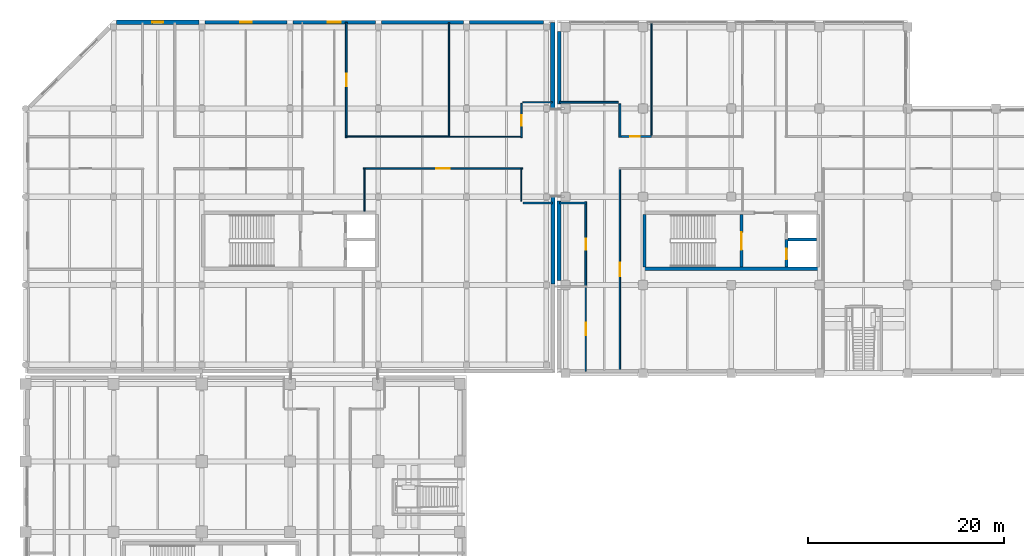
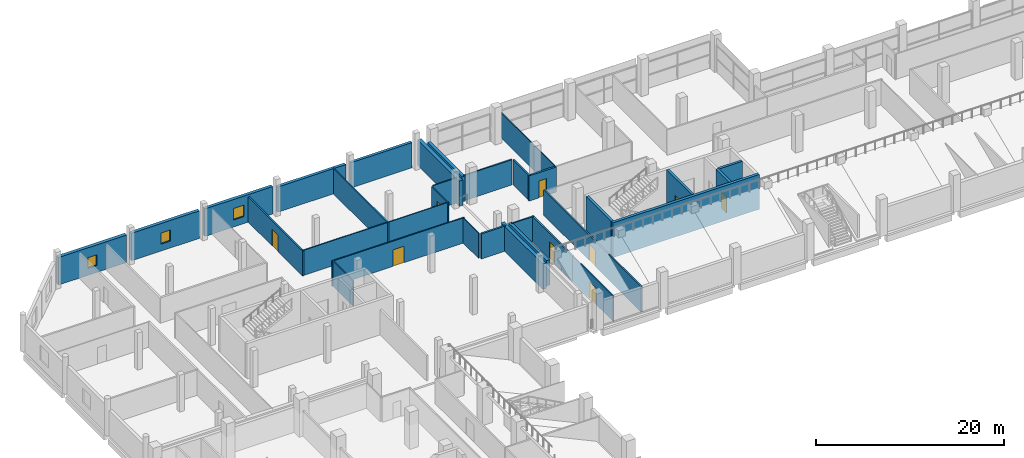
# One storey, part 67 of 100: 32 walls, 9 doors, 3 windows, 12 openings.
"""IFC4 building model written with IfcOpenShell, lengths in metres."""

from ifc_helpers import new_model, si_unit, direction, frame, frame_2d, origin, place, context, subcontext, project, spatial, rectangle, extrude, material, layer, layer_set, type_object, element, fill, save


model = new_model("IFC4")

# Units and contexts
model_context = context("Model", 3, precision=1e-05, world=origin(), true_north=direction((0.0, 1.0)))
body_context = subcontext(model_context, "Body", "Model", "MODEL_VIEW")
ifc_project = project(units=[si_unit("LENGTHUNIT", "METRE"), si_unit("AREAUNIT", "SQUARE_METRE"), si_unit("VOLUMEUNIT", "CUBIC_METRE"), si_unit("PLANEANGLEUNIT", "RADIAN"), si_unit("MASSUNIT", "GRAM", prefix="KILO"), si_unit("THERMODYNAMICTEMPERATUREUNIT", "KELVIN"), si_unit("POWERUNIT", "WATT")], contexts=[model_context])

# Site, building, storey
site_placement = place(None, origin())
site = spatial("IfcSite", under=ifc_project, at=site_placement, CompositionType="ELEMENT")
building_placement = place(site_placement, origin())
building = spatial("IfcBuilding", under=site, at=building_placement, Name="Sindhuravela Promenade Stadium", CompositionType="ELEMENT")
storey_placement = place(building_placement, frame((0.0, 0.0, 4.800048828125)))
storey = spatial("IfcBuildingStorey", under=building, at=storey_placement, Name="L01", CompositionType="ELEMENT", Elevation=4.800048828125)

# Walls
ifc_material_1 = material(Name="Terracotta clay brick masonry (15 MPa)", Category="masonry")
ifc_layer_1 = layer(ifc_material_1, 0.340087890625)
ifc_layer_set_1 = layer_set([ifc_layer_1], Name="Terracotta clay brick masonry (15 MPa)")
wall_type_1 = type_object("IfcWallType", Name="EX-WL-BRK340", PredefinedType="SOLIDWALL", material=ifc_layer_set_1)
wall_1_placement = place(storey_placement, frame((45.304931640625, 161.800048828125, 0.0), z_axis=(0.0, 0.0, 1.0), x_axis=(1.0, 0.0, 0.0)))
element("IfcWall", 1, at=wall_1_placement, inside=storey, type_object=wall_type_1, Name="Exterior masonry wall EW06 Pavilion NW L01", PredefinedType="SOLIDWALL", context=body_context, shape_type="SweptSolid", body=[
    extrude(rectangle(XDim=7.5400390625, YDim=0.340087890625, at=frame_2d((3.77001953125, 0.0))), origin(), (0.0, 0.0, 1.0), 3.280029296875),
])
ifc_layer_2 = layer(ifc_material_1, 0.360107421875)
ifc_layer_set_2 = layer_set([ifc_layer_2], Name="Terracotta clay brick masonry (15 MPa)")
wall_type_2 = type_object("IfcWallType", Name="EX-WL-BRK360", PredefinedType="SOLIDWALL", material=ifc_layer_set_2)
wall_2_placement = place(storey_placement, frame((36.304931640625, 161.800048828125, 0.0), z_axis=(0.0, 0.0, 1.0), x_axis=(1.0, 0.0, 0.0)))
element("IfcWall", 2, at=wall_2_placement, inside=storey, type_object=wall_type_2, Name="Exterior masonry wall EW05 Pavilion NW L01", PredefinedType="SOLIDWALL", context=body_context, shape_type="SweptSolid", body=[
    extrude(rectangle(XDim=8.39013671875, YDim=0.360107421875, at=frame_2d((4.195068359375, 0.0))), origin(), (0.0, 0.0, 1.0), 3.280029296875),
])
ifc_layer_3 = layer(ifc_material_1, 0.3798828125)
ifc_layer_set_3 = layer_set([ifc_layer_3], Name="Terracotta clay brick masonry (15 MPa)")
wall_type_3 = type_object("IfcWallType", Name="EX-WL-BRK380", PredefinedType="SOLIDWALL", material=ifc_layer_set_3)
wall_3_placement = place(storey_placement, frame((54.449951171875, 153.455078125, 0.0), z_axis=(0.0, 0.0, 1.0), x_axis=(0.0, 1.0, 0.0)))
element("IfcWall", 3, at=wall_3_placement, inside=storey, type_object=wall_type_3, Name="Exterior masonry wall EW04 NORTH L01", PredefinedType="SOLIDWALL", context=body_context, shape_type="SweptSolid", body=[
    extrude(rectangle(XDim=7.389892578125, YDim=0.3798828125, at=frame_2d((3.69482421875, 0.0))), origin(), (0.0, 0.0, 1.0), 3.280029296875),
])

# Wall, opening, window
wall_4_placement = place(storey_placement, frame((27.304931640625, 161.800048828125, 0.0), z_axis=(0.0, 0.0, 1.0), x_axis=(1.0, 0.0, 0.0)))
wall_4 = element("IfcWall", 4, at=wall_4_placement, inside=storey, type_object=wall_type_3, Name="Exterior masonry wall EW04 Pavilion NW L01", PredefinedType="SOLIDWALL", context=body_context, shape_type="SweptSolid", body=[
    extrude(rectangle(XDim=8.39013671875, YDim=0.3798828125, at=frame_2d((4.195068359375, 0.0))), origin(), (0.0, 0.0, 1.0), 3.579833984375),
])
opening_1_placement = place(wall_4_placement, frame((3.544921875, 0.0, 0.89990234375)))
opening_1 = element("IfcOpeningElement", 5, at=opening_1_placement, cuts=wall_4, Name="Opening W03", PredefinedType="OPENING", context=body_context, shape_type="SweptSolid", body=[
    extrude(rectangle(XDim=1.300048828125, YDim=1.5, at=frame_2d((0.64990234375, 0.75))), frame((0.0, 0.199951171875, 0.0), z_axis=(0.0, -1.0, 0.0), x_axis=(1.0, 0.0, 0.0)), (0.0, 0.0, 1.0), 0.39990234375),
])
ifc_material_2 = material(Name="Tempered laminated low-E glass", Category="glass")
window_type_1 = type_object("IfcWindowType", Name="WN-FAC-1300x1500", PartitioningType="SINGLE_PANEL", PredefinedType="WINDOW", material=ifc_material_2)
window_1_placement = place(opening_1_placement, origin())
window_1 = element("IfcWindow", 6, at=window_1_placement, inside=storey, type_object=window_type_1, Name="Window W03 Pavilion NW L01", OverallHeight=1.5, OverallWidth=1.300048828125, PartitioningType="SINGLE_PANEL", PredefinedType="WINDOW", context=body_context, shape_type="SweptSolid", body=[
    extrude(rectangle(XDim=1.300048828125, YDim=1.5, at=frame_2d((0.64990234375, 0.75))), frame((0.0, 0.030029296875, 0.0), z_axis=(0.0, -1.0, 0.0), x_axis=(1.0, 0.0, 0.0)), (0.0, 0.0, 1.0), 0.06005859375),
])
fill(opening_1, window_1)

# Wall
ifc_layer_4 = layer(ifc_material_1, 0.39990234375)
ifc_layer_set_4 = layer_set([ifc_layer_4], Name="Terracotta clay brick masonry (15 MPa)")
wall_type_4 = type_object("IfcWallType", Name="EX-WL-BRK400", PredefinedType="SOLIDWALL", material=ifc_layer_set_4)
wall_5_placement = place(storey_placement, frame((54.449951171875, 135.455078125, 0.0), z_axis=(0.0, 0.0, 1.0), x_axis=(0.0, 1.0, 0.0)))
element("IfcWall", 7, at=wall_5_placement, inside=storey, type_object=wall_type_4, Name="Exterior masonry wall EW03 NORTH L01", PredefinedType="SOLIDWALL", context=body_context, shape_type="SweptSolid", body=[
    extrude(rectangle(XDim=8.08984375, YDim=0.39990234375, at=frame_2d((4.044921875, 0.0))), origin(), (0.0, 0.0, 1.0), 3.280029296875),
])

# Wall, opening, window
wall_6_placement = place(storey_placement, frame((18.304931640625, 161.800048828125, 0.0), z_axis=(0.0, 0.0, 1.0), x_axis=(1.0, 0.0, 0.0)))
wall_6 = element("IfcWall", 8, at=wall_6_placement, inside=storey, type_object=wall_type_4, Name="Exterior masonry wall EW03 Pavilion NW L01", PredefinedType="SOLIDWALL", context=body_context, shape_type="SweptSolid", body=[
    extrude(rectangle(XDim=8.39013671875, YDim=0.39990234375, at=frame_2d((4.195068359375, 0.0))), origin(), (0.0, 0.0, 1.0), 3.579833984375),
])
opening_2_placement = place(wall_6_placement, frame((3.594970703125, 0.0, 0.89990234375)))
opening_2 = element("IfcOpeningElement", 9, at=opening_2_placement, cuts=wall_6, Name="Opening W02", PredefinedType="OPENING", context=body_context, shape_type="SweptSolid", body=[
    extrude(rectangle(XDim=1.199951171875, YDim=1.449951171875, at=frame_2d((0.60009765625, 0.72509765625))), frame((0.0, 0.2099609375, 0.0), z_axis=(0.0, -1.0, 0.0), x_axis=(1.0, 0.0, 0.0)), (0.0, 0.0, 1.0), 0.419921875),
])
window_type_2 = type_object("IfcWindowType", Name="WN-FAC-1200x1450", PartitioningType="SINGLE_PANEL", PredefinedType="WINDOW", material=ifc_material_2)
window_2_placement = place(opening_2_placement, origin())
window_2 = element("IfcWindow", 10, at=window_2_placement, inside=storey, type_object=window_type_2, Name="Window W02 Pavilion NW L01", OverallHeight=1.449951171875, OverallWidth=1.199951171875, PartitioningType="SINGLE_PANEL", PredefinedType="WINDOW", context=body_context, shape_type="SweptSolid", body=[
    extrude(rectangle(XDim=1.199951171875, YDim=1.449951171875, at=frame_2d((0.60009765625, 0.72509765625))), frame((0.0, 0.030029296875, 0.0), z_axis=(0.0, -1.0, 0.0), x_axis=(1.0, 0.0, 0.0)), (0.0, 0.0, 1.0), 0.06005859375),
])
fill(opening_2, window_2)

ifc_layer_5 = layer(ifc_material_1, 0.419921875)
ifc_layer_set_5 = layer_set([ifc_layer_5], Name="Terracotta clay brick masonry (15 MPa)")
wall_type_5 = type_object("IfcWallType", Name="EX-WL-BRK420", PredefinedType="SOLIDWALL", material=ifc_layer_set_5)
wall_7_placement = place(storey_placement, frame((9.304931640625, 161.800048828125, 0.0), z_axis=(0.0, 0.0, 1.0), x_axis=(1.0, 0.0, 0.0)))
wall_7 = element("IfcWall", 11, at=wall_7_placement, inside=storey, type_object=wall_type_5, Name="Exterior masonry wall EW02 Pavilion NW L01", PredefinedType="SOLIDWALL", context=body_context, shape_type="SweptSolid", body=[
    extrude(rectangle(XDim=8.39013671875, YDim=0.419921875, at=frame_2d((4.195068359375, 0.0))), origin(), (0.0, 0.0, 1.0), 3.579833984375),
])
opening_3_placement = place(wall_7_placement, frame((3.64501953125, 0.0, 0.89990234375)))
opening_3 = element("IfcOpeningElement", 12, at=opening_3_placement, cuts=wall_7, Name="Opening W01", PredefinedType="OPENING", context=body_context, shape_type="SweptSolid", body=[
    extrude(rectangle(XDim=1.10009765625, YDim=1.39990234375, at=frame_2d((0.550048828125, 0.699951171875))), frame((0.0, 0.219970703125, 0.0), z_axis=(0.0, -1.0, 0.0), x_axis=(1.0, 0.0, 0.0)), (0.0, 0.0, 1.0), 0.43994140625),
])
window_type_3 = type_object("IfcWindowType", Name="WN-FAC-1100x1400", PartitioningType="SINGLE_PANEL", PredefinedType="WINDOW", material=ifc_material_2)
window_3_placement = place(opening_3_placement, origin())
window_3 = element("IfcWindow", 13, at=window_3_placement, inside=storey, type_object=window_type_3, Name="Window W01 Pavilion NW L01", OverallHeight=1.39990234375, OverallWidth=1.10009765625, PartitioningType="SINGLE_PANEL", PredefinedType="WINDOW", context=body_context, shape_type="SweptSolid", body=[
    extrude(rectangle(XDim=1.10009765625, YDim=1.39990234375, at=frame_2d((0.550048828125, 0.699951171875))), frame((0.0, 0.030029296875, 0.0), z_axis=(0.0, -1.0, 0.0), x_axis=(1.0, 0.0, 0.0)), (0.0, 0.0, 1.0), 0.06005859375),
])
fill(opening_3, window_3)

# Walls
wall_8_placement = place(storey_placement, frame((53.800048828125, 144.0, 0.0), z_axis=(0.0, 0.0, 1.0), x_axis=(0.0, -1.0, 0.0)))
element("IfcWall", 14, at=wall_8_placement, inside=storey, type_object=wall_type_5, Name="Exterior masonry wall EW02 Pavilion NW L01", PredefinedType="SOLIDWALL", context=body_context, shape_type="SweptSolid", body=[
    extrude(rectangle(XDim=8.89990234375, YDim=0.419921875, at=frame_2d((4.449951171875, 0.0))), origin(), (0.0, 0.0, 1.0), 3.280029296875),
])
ifc_layer_6 = layer(ifc_material_1, 0.4599609375)
ifc_layer_set_6 = layer_set([ifc_layer_6], Name="Terracotta clay brick masonry (15 MPa)")
wall_type_6 = type_object("IfcWallType", Name="EX-WL-BRK460", PredefinedType="SOLIDWALL", material=ifc_layer_set_6)
wall_9_placement = place(storey_placement, frame((53.800048828125, 161.800048828125, 0.0), z_axis=(0.0, 0.0, 1.0), x_axis=(0.0, -1.0, 0.0)))
element("IfcWall", 15, at=wall_9_placement, inside=storey, type_object=wall_type_6, Name="Exterior masonry wall EW01 Pavilion NW L01", PredefinedType="SOLIDWALL", context=body_context, shape_type="SweptSolid", body=[
    extrude(rectangle(XDim=8.900146484375, YDim=0.4599609375, at=frame_2d((4.4501953125, 0.0))), origin(), (0.0, 0.0, 1.0), 3.280029296875),
])
ifc_material_3 = material(Name="Fire-rated gypsum partition board", Category="gypsum")
ifc_layer_7 = layer(ifc_material_3, 0.110107421875)
ifc_layer_set_7 = layer_set([ifc_layer_7], Name="Fire-rated gypsum partition board")
wall_type_7 = type_object("IfcWallType", Name="IN-WL-PAR110", PredefinedType="PARTITIONING", material=ifc_layer_set_7)
wall_10_placement = place(storey_placement, frame((63.864990234375, 150.06005859375, 0.0), z_axis=(0.0, 0.0, 1.0), x_axis=(0.0, 1.0, 0.0)))
element("IfcWall", 16, at=wall_10_placement, inside=storey, type_object=wall_type_7, Name="Interior partition IW06 NORTH L01", PredefinedType="PARTITIONING", context=body_context, shape_type="SweptSolid", body=[
    extrude(rectangle(XDim=11.70703125, YDim=0.110107421875, at=frame_2d((5.853515625, 0.0))), origin(), (0.0, 0.0, 1.0), 3.280029296875),
])
wall_11_placement = place(storey_placement, frame((50.590087890625, 146.93994140625, 0.0), z_axis=(0.0, 0.0, 1.0), x_axis=(0.0, -1.0, 0.0)))
element("IfcWall", 17, at=wall_11_placement, inside=storey, type_object=wall_type_7, Name="Interior partition IW06 Pavilion NW L01", PredefinedType="PARTITIONING", context=body_context, shape_type="SweptSolid", body=[
    extrude(rectangle(XDim=3.419921875, YDim=0.110107421875, at=frame_2d((1.7099609375, 0.0))), origin(), (0.0, 0.0, 1.0), 3.280029296875),
])
wall_12_placement = place(storey_placement, frame((50.669921875, 150.139892578125, 0.0), z_axis=(0.0, 0.0, 1.0), x_axis=(-1.0, 0.0, 0.0)))
element("IfcWall", 18, at=wall_12_placement, inside=storey, type_object=wall_type_7, Name="Interior partition IW06 Pavilion NW L01", PredefinedType="PARTITIONING", context=body_context, shape_type="SweptSolid", body=[
    extrude(rectangle(XDim=7.419921875, YDim=0.110107421875, at=frame_2d((3.7099609375, 0.0))), origin(), (0.0, 0.0, 1.0), 3.280029296875),
])

# Wall, opening, door
ifc_layer_8 = layer(ifc_material_3, 0.1298828125)
ifc_layer_set_8 = layer_set([ifc_layer_8], Name="Fire-rated gypsum partition board")
wall_type_8 = type_object("IfcWallType", Name="IN-WL-PAR130", PredefinedType="PARTITIONING", material=ifc_layer_set_8)
wall_13_placement = place(storey_placement, frame((57.159912109375, 126.199951171875, 0.0), z_axis=(0.0, 0.0, 1.0), x_axis=(0.0, 1.0, 0.0)))
wall_13 = element("IfcWall", 19, at=wall_13_placement, inside=storey, type_object=wall_type_8, Name="Corridor partition IW05 Public Toilet Block North L01 8", PredefinedType="PARTITIONING", context=body_context, shape_type="SweptSolid", body=[
    extrude(rectangle(XDim=8.64013671875, YDim=0.1298828125, at=frame_2d((4.320068359375, 0.0))), origin(), (0.0, 0.0, 1.0), 3.280029296875),
])
opening_4_placement = place(wall_13_placement, frame((3.695068359375, 0.0, 0.0)))
opening_4 = element("IfcOpeningElement", 20, at=opening_4_placement, cuts=wall_13, Name="Opening ID04", PredefinedType="OPENING", context=body_context, shape_type="SweptSolid", body=[
    extrude(rectangle(XDim=1.25, YDim=2.14990234375, at=frame_2d((0.625, 1.074951171875))), frame((0.0, 0.074951171875, 0.0), z_axis=(0.0, -1.0, 0.0), x_axis=(1.0, 0.0, 0.0)), (0.0, 0.0, 1.0), 0.14990234375),
])
ifc_material_4 = material(Name="Architectural teak timber leaf", Category="wood")
door_type_1 = type_object("IfcDoorType", Name="DR-INT-1250x2150", OperationType="NOTDEFINED", PredefinedType="DOOR", material=ifc_material_4)
door_1_placement = place(opening_4_placement, origin())
door_1 = element("IfcDoor", 21, at=door_1_placement, inside=storey, type_object=door_type_1, Name="Public Toilet Block North L01 8 door", OperationType="SINGLE_SWING_RIGHT", OverallHeight=2.14990234375, OverallWidth=1.25, PredefinedType="DOOR", context=body_context, shape_type="SweptSolid", body=[
    extrude(rectangle(XDim=1.25, YDim=2.14990234375, at=frame_2d((0.625, 1.074951171875))), frame((0.0, 0.02490234375, 0.0), z_axis=(0.0, -1.0, 0.0), x_axis=(1.0, 0.0, 0.0)), (0.0, 0.0, 1.0), 0.050048828125),
])
fill(opening_4, door_1)

# Walls
wall_14_placement = place(storey_placement, frame((34.580078125, 142.527099609375, 0.0), z_axis=(0.0, 0.0, 1.0), x_axis=(0.0, 1.0, 0.0)))
element("IfcWall", 22, at=wall_14_placement, inside=storey, type_object=wall_type_8, Name="Interior partition IW05 Pavilion NW L01", PredefinedType="PARTITIONING", context=body_context, shape_type="SweptSolid", body=[
    extrude(rectangle(XDim=4.412841796875, YDim=0.1298828125, at=frame_2d((2.20654296875, 0.0))), origin(), (0.0, 0.0, 1.0), 3.280029296875),
])
wall_15_placement = place(storey_placement, frame((43.169921875, 150.139892578125, 0.0), z_axis=(0.0, 0.0, 1.0), x_axis=(-1.0, 0.0, 0.0)))
element("IfcWall", 23, at=wall_15_placement, inside=storey, type_object=wall_type_8, Name="Interior partition IW05 Pavilion NW L01", PredefinedType="PARTITIONING", context=body_context, shape_type="SweptSolid", body=[
    extrude(rectangle(XDim=10.510009765625, YDim=0.1298828125, at=frame_2d((5.2548828125, 0.0))), origin(), (0.0, 0.0, 1.0), 3.280029296875),
])
wall_16_placement = place(storey_placement, frame((53.760009765625, 153.639892578125, 0.0), z_axis=(0.0, 0.0, 1.0), x_axis=(-1.0, 0.0, 0.0)))
element("IfcWall", 24, at=wall_16_placement, inside=storey, type_object=wall_type_8, Name="Interior partition IW05 Pavilion NW L01", PredefinedType="PARTITIONING", context=body_context, shape_type="SweptSolid", body=[
    extrude(rectangle(XDim=3.010009765625, YDim=0.1298828125, at=frame_2d((1.5048828125, 0.0))), origin(), (0.0, 0.0, 1.0), 3.280029296875),
])

# Wall, opening, door
ifc_layer_9 = layer(ifc_material_3, 0.14990234375)
ifc_layer_set_9 = layer_set([ifc_layer_9], Name="Fire-rated gypsum partition board")
wall_type_9 = type_object("IfcWallType", Name="IN-WL-PAR150", PredefinedType="PARTITIONING", material=ifc_layer_set_9)
wall_17_placement = place(storey_placement, frame((50.7099609375, 146.860107421875, 0.0), z_axis=(0.0, 0.0, 1.0), x_axis=(-1.0, 0.0, 0.0)))
wall_17 = element("IfcWall", 25, at=wall_17_placement, inside=storey, type_object=wall_type_9, Name="Corridor partition IW04 Gate Concourse Foyer NW L01", PredefinedType="PARTITIONING", context=body_context, shape_type="SweptSolid", body=[
    extrude(rectangle(XDim=16.25, YDim=0.14990234375, at=frame_2d((8.125, 0.0))), origin(), (0.0, 0.0, 1.0), 3.280029296875),
])
opening_5_placement = place(wall_17_placement, frame((7.425048828125, 0.0, 0.0)))
opening_5 = element("IfcOpeningElement", 26, at=opening_5_placement, cuts=wall_17, Name="Opening ID03", PredefinedType="OPENING", context=body_context, shape_type="SweptSolid", body=[
    extrude(rectangle(XDim=1.39990234375, YDim=2.14990234375, at=frame_2d((0.699951171875, 1.074951171875))), frame((0.0, 0.0849609375, 0.0), z_axis=(0.0, -1.0, 0.0), x_axis=(1.0, 0.0, 0.0)), (0.0, 0.0, 1.0), 0.169921875),
])
door_type_2 = type_object("IfcDoorType", Name="DR-INT-1400x2150", OperationType="DOUBLE_DOOR_SINGLE_SWING", PredefinedType="DOOR", material=ifc_material_4)
door_2_placement = place(opening_5_placement, origin())
door_2 = element("IfcDoor", 27, at=door_2_placement, inside=storey, type_object=door_type_2, Name="Gate Concourse Foyer NW L01 door", OperationType="DOUBLE_DOOR_SINGLE_SWING", OverallHeight=2.14990234375, OverallWidth=1.39990234375, PredefinedType="DOOR", context=body_context, shape_type="SweptSolid", body=[
    extrude(rectangle(XDim=1.39990234375, YDim=2.14990234375, at=frame_2d((0.699951171875, 1.074951171875))), frame((0.0, 0.02490234375, 0.0), z_axis=(0.0, -1.0, 0.0), x_axis=(1.0, 0.0, 0.0)), (0.0, 0.0, 1.0), 0.050048828125),
])
fill(opening_5, door_2)

# Wall
wall_18_placement = place(storey_placement, frame((43.2099609375, 161.760009765625, 0.0), z_axis=(0.0, 0.0, 1.0), x_axis=(0.0, -1.0, 0.0)))
element("IfcWall", 28, at=wall_18_placement, inside=storey, type_object=wall_type_9, Name="Interior partition IW04 Pavilion NW L01", PredefinedType="PARTITIONING", context=body_context, shape_type="SweptSolid", body=[
    extrude(rectangle(XDim=11.699951171875, YDim=0.14990234375, at=frame_2d((5.85009765625, 0.0))), origin(), (0.0, 0.0, 1.0), 3.280029296875),
])

# Wall, opening, door
wall_19_placement = place(storey_placement, frame((50.590087890625, 150.02001953125, 0.0), z_axis=(0.0, 0.0, 1.0), x_axis=(0.0, 1.0, 0.0)))
wall_19 = element("IfcWall", 29, at=wall_19_placement, inside=storey, type_object=wall_type_9, Name="Corridor partition IW04 Refreshment Counter NW L01 4", PredefinedType="PARTITIONING", context=body_context, shape_type="SweptSolid", body=[
    extrude(rectangle(XDim=3.5, YDim=0.14990234375, at=frame_2d((1.75, 0.0))), origin(), (0.0, 0.0, 1.0), 3.280029296875),
])
opening_6_placement = place(wall_19_placement, frame((1.22509765625, 0.0, 0.0)))
opening_6 = element("IfcOpeningElement", 30, at=opening_6_placement, cuts=wall_19, Name="Opening ID07", PredefinedType="OPENING", context=body_context, shape_type="SweptSolid", body=[
    extrude(rectangle(XDim=1.050048828125, YDim=2.10009765625, at=frame_2d((0.52490234375, 1.050048828125))), frame((0.0, 0.0849609375, 0.0), z_axis=(0.0, -1.0, 0.0), x_axis=(1.0, 0.0, 0.0)), (0.0, 0.0, 1.0), 0.169921875),
])
door_type_3 = type_object("IfcDoorType", Name="DR-INT-1050x2100", OperationType="NOTDEFINED", PredefinedType="DOOR", material=ifc_material_4)
door_3_placement = place(opening_6_placement, origin())
door_3 = element("IfcDoor", 31, at=door_3_placement, inside=storey, type_object=door_type_3, Name="Refreshment Counter NW L01 4 door", OperationType="SINGLE_SWING_LEFT", OverallHeight=2.10009765625, OverallWidth=1.050048828125, PredefinedType="DOOR", context=body_context, shape_type="SweptSolid", body=[
    extrude(rectangle(XDim=1.050048828125, YDim=2.10009765625, at=frame_2d((0.52490234375, 1.050048828125))), frame((0.0, 0.02490234375, 0.0), z_axis=(0.0, -1.0, 0.0), x_axis=(1.0, 0.0, 0.0)), (0.0, 0.0, 1.0), 0.050048828125),
])
fill(opening_6, door_3)

ifc_layer_10 = layer(ifc_material_3, 0.175048828125)
ifc_layer_set_10 = layer_set([ifc_layer_10], Name="Fire-rated gypsum partition board")
wall_type_10 = type_object("IfcWallType", Name="IN-WL-PAR175", PredefinedType="PARTITIONING", material=ifc_layer_set_10)
wall_20_placement = place(storey_placement, frame((60.639892578125, 146.97998046875, 0.0), z_axis=(0.0, 0.0, 1.0), x_axis=(0.0, -1.0, 0.0)))
wall_20 = element("IfcWall", 32, at=wall_20_placement, inside=storey, type_object=wall_type_10, Name="Corridor partition IW03 North Concessions Store L01", PredefinedType="PARTITIONING", context=body_context, shape_type="SweptSolid", body=[
    extrude(rectangle(XDim=20.780029296875, YDim=0.175048828125, at=frame_2d((10.39013671875, 0.0))), origin(), (0.0, 0.0, 1.0), 3.280029296875),
])
opening_7_placement = place(wall_20_placement, frame((9.68994140625, 0.0, 0.0)))
opening_7 = element("IfcOpeningElement", 33, at=opening_7_placement, cuts=wall_20, Name="Opening ID03", PredefinedType="OPENING", context=body_context, shape_type="SweptSolid", body=[
    extrude(rectangle(XDim=1.39990234375, YDim=2.14990234375, at=frame_2d((0.699951171875, 1.074951171875))), frame((0.0, 0.097412109375, 0.0), z_axis=(0.0, -1.0, 0.0), x_axis=(1.0, 0.0, 0.0)), (0.0, 0.0, 1.0), 0.195068359375),
])
door_4_placement = place(opening_7_placement, origin())
door_4 = element("IfcDoor", 34, at=door_4_placement, inside=storey, type_object=door_type_2, Name="North Concessions Store L01 door", OperationType="DOUBLE_DOOR_SINGLE_SWING", OverallHeight=2.14990234375, OverallWidth=1.39990234375, PredefinedType="DOOR", context=body_context, shape_type="SweptSolid", body=[
    extrude(rectangle(XDim=1.39990234375, YDim=2.14990234375, at=frame_2d((0.699951171875, 1.074951171875))), frame((0.0, 0.02490234375, 0.0), z_axis=(0.0, -1.0, 0.0), x_axis=(1.0, 0.0, 0.0)), (0.0, 0.0, 1.0), 0.050048828125),
])
fill(opening_7, door_4)

# Walls
wall_21_placement = place(storey_placement, frame((60.47998046875, 153.639892578125, 0.0), z_axis=(0.0, 0.0, 1.0), x_axis=(-1.0, 0.0, 0.0)))
element("IfcWall", 35, at=wall_21_placement, inside=storey, type_object=wall_type_10, Name="Interior partition IW03 NORTH L01", PredefinedType="PARTITIONING", context=body_context, shape_type="SweptSolid", body=[
    extrude(rectangle(XDim=5.989990234375, YDim=0.175048828125, at=frame_2d((2.9951171875, 0.0))), origin(), (0.0, 0.0, 1.0), 3.280029296875),
])
wall_22_placement = place(storey_placement, frame((54.489990234375, 143.360107421875, 0.0), z_axis=(0.0, 0.0, 1.0), x_axis=(1.0, 0.0, 0.0)))
element("IfcWall", 36, at=wall_22_placement, inside=storey, type_object=wall_type_10, Name="Interior partition IW03 NORTH L01", PredefinedType="PARTITIONING", context=body_context, shape_type="SweptSolid", body=[
    extrude(rectangle(XDim=2.75, YDim=0.175048828125, at=frame_2d((1.375, 0.0))), origin(), (0.0, 0.0, 1.0), 3.280029296875),
])

# Wall, opening, door
wall_23_placement = place(storey_placement, frame((32.739990234375, 161.800048828125, 0.0), z_axis=(0.0, 0.0, 1.0), x_axis=(0.0, -1.0, 0.0)))
wall_23 = element("IfcWall", 37, at=wall_23_placement, inside=storey, type_object=wall_type_10, Name="Corridor partition IW03 Accessible WC NW L01", PredefinedType="PARTITIONING", context=body_context, shape_type="SweptSolid", body=[
    extrude(rectangle(XDim=11.780029296875, YDim=0.175048828125, at=frame_2d((5.89013671875, 0.0))), origin(), (0.0, 0.0, 1.0), 3.280029296875),
])
opening_8_placement = place(wall_23_placement, frame((5.264892578125, 0.0, 0.0)))
opening_8 = element("IfcOpeningElement", 38, at=opening_8_placement, cuts=wall_23, Name="Opening ID04", PredefinedType="OPENING", context=body_context, shape_type="SweptSolid", body=[
    extrude(rectangle(XDim=1.25, YDim=2.14990234375, at=frame_2d((0.625, 1.074951171875))), frame((0.0, 0.097412109375, 0.0), z_axis=(0.0, -1.0, 0.0), x_axis=(1.0, 0.0, 0.0)), (0.0, 0.0, 1.0), 0.195068359375),
])
door_5_placement = place(opening_8_placement, origin())
door_5 = element("IfcDoor", 39, at=door_5_placement, inside=storey, type_object=door_type_1, Name="Accessible WC NW L01 door", OperationType="SINGLE_SWING_RIGHT", OverallHeight=2.14990234375, OverallWidth=1.25, PredefinedType="DOOR", context=body_context, shape_type="SweptSolid", body=[
    extrude(rectangle(XDim=1.25, YDim=2.14990234375, at=frame_2d((0.625, 1.074951171875))), frame((0.0, 0.02490234375, 0.0), z_axis=(0.0, -1.0, 0.0), x_axis=(1.0, 0.0, 0.0)), (0.0, 0.0, 1.0), 0.050048828125),
])
fill(opening_8, door_5)

# Wall
ifc_layer_11 = layer(ifc_material_3, 0.195068359375)
ifc_layer_set_11 = layer_set([ifc_layer_11], Name="Fire-rated gypsum partition board")
wall_type_11 = type_object("IfcWallType", Name="IN-WL-PAR195", PredefinedType="PARTITIONING", material=ifc_layer_set_11)
wall_24_placement = place(storey_placement, frame((60.639892578125, 150.06005859375, 0.0), z_axis=(0.0, 0.0, 1.0), x_axis=(0.0, 1.0, 0.0)))
element("IfcWall", 40, at=wall_24_placement, inside=storey, type_object=wall_type_11, Name="Interior partition IW02 NORTH L01", PredefinedType="PARTITIONING", context=body_context, shape_type="SweptSolid", body=[
    extrude(rectangle(XDim=3.419921875, YDim=0.195068359375, at=frame_2d((1.7099609375, 0.0))), origin(), (0.0, 0.0, 1.0), 3.280029296875),
])

# Wall, opening, door
wall_25_placement = place(storey_placement, frame((57.159912109375, 134.840087890625, 0.0), z_axis=(0.0, 0.0, 1.0), x_axis=(0.0, 1.0, 0.0)))
wall_25 = element("IfcWall", 41, at=wall_25_placement, inside=storey, type_object=wall_type_11, Name="Corridor partition IW02 Accessible WC North L01 7", PredefinedType="PARTITIONING", context=body_context, shape_type="SweptSolid", body=[
    extrude(rectangle(XDim=8.639892578125, YDim=0.195068359375, at=frame_2d((4.31982421875, 0.0))), origin(), (0.0, 0.0, 1.0), 3.280029296875),
])
opening_9_placement = place(wall_25_placement, frame((3.760009765625, 0.0, 0.0)))
opening_9 = element("IfcOpeningElement", 42, at=opening_9_placement, cuts=wall_25, Name="Opening ID13", PredefinedType="OPENING", context=body_context, shape_type="SweptSolid", body=[
    extrude(rectangle(XDim=1.1201171875, YDim=2.219970703125, at=frame_2d((0.56005859375, 1.10986328125))), frame((0.0, 0.107421875, 0.0), z_axis=(0.0, -1.0, 0.0), x_axis=(1.0, 0.0, 0.0)), (0.0, 0.0, 1.0), 0.215087890625),
])
door_type_4 = type_object("IfcDoorType", Name="DR-INT-1120x2220", OperationType="NOTDEFINED", PredefinedType="DOOR", material=ifc_material_4)
door_6_placement = place(opening_9_placement, origin())
door_6 = element("IfcDoor", 43, at=door_6_placement, inside=storey, type_object=door_type_4, Name="Accessible WC North L01 7 door", OperationType="SINGLE_SWING_LEFT", OverallHeight=2.219970703125, OverallWidth=1.1201171875, PredefinedType="DOOR", context=body_context, shape_type="SweptSolid", body=[
    extrude(rectangle(XDim=1.1201171875, YDim=2.219970703125, at=frame_2d((0.56005859375, 1.10986328125))), frame((0.0, 0.02490234375, 0.0), z_axis=(0.0, -1.0, 0.0), x_axis=(1.0, 0.0, 0.0)), (0.0, 0.0, 1.0), 0.050048828125),
])
fill(opening_9, door_6)

ifc_layer_12 = layer(ifc_material_3, 0.219970703125)
ifc_layer_set_12 = layer_set([ifc_layer_12], Name="Fire-rated gypsum partition board")
wall_type_12 = type_object("IfcWallType", Name="IN-WL-PAR220", PredefinedType="PARTITIONING", material=ifc_layer_set_12)
wall_26_placement = place(storey_placement, frame((60.52001953125, 150.139892578125, 0.0), z_axis=(0.0, 0.0, 1.0), x_axis=(1.0, 0.0, 0.0)))
wall_26 = element("IfcWall", 44, at=wall_26_placement, inside=storey, type_object=wall_type_12, Name="Corridor partition IW01 Concourse Beverage Kiosk North B 4", PredefinedType="PARTITIONING", context=body_context, shape_type="SweptSolid", body=[
    extrude(rectangle(XDim=3.344970703125, YDim=0.219970703125, at=frame_2d((1.67236328125, 0.0))), origin(), (0.0, 0.0, 1.0), 3.280029296875),
])
opening_10_placement = place(wall_26_placement, frame((1.197509765625, 0.0, 0.0)))
opening_10 = element("IfcOpeningElement", 45, at=opening_10_placement, cuts=wall_26, Name="Opening ID10", PredefinedType="OPENING", context=body_context, shape_type="SweptSolid", body=[
    extrude(rectangle(XDim=0.949951171875, YDim=2.179931640625, at=frame_2d((0.47509765625, 1.08984375))), frame((0.0, 0.119873046875, 0.0), z_axis=(0.0, -1.0, 0.0), x_axis=(1.0, 0.0, 0.0)), (0.0, 0.0, 1.0), 0.239990234375),
])
door_type_5 = type_object("IfcDoorType", Name="DR-INT-950x2180", OperationType="NOTDEFINED", PredefinedType="DOOR", material=ifc_material_4)
door_7_placement = place(opening_10_placement, origin())
door_7 = element("IfcDoor", 46, at=door_7_placement, inside=storey, type_object=door_type_5, Name="Concourse Beverage Kiosk North B 4 door", OperationType="SINGLE_SWING_RIGHT", OverallHeight=2.179931640625, OverallWidth=0.949951171875, PredefinedType="DOOR", context=body_context, shape_type="SweptSolid", body=[
    extrude(rectangle(XDim=0.949951171875, YDim=2.179931640625, at=frame_2d((0.47509765625, 1.08984375))), frame((0.0, 0.02490234375, 0.0), z_axis=(0.0, -1.0, 0.0), x_axis=(1.0, 0.0, 0.0)), (0.0, 0.0, 1.0), 0.050048828125),
])
fill(opening_10, door_7)

# Wall
wall_27_placement = place(storey_placement, frame((50.75, 143.360107421875, 0.0), z_axis=(0.0, 0.0, 1.0), x_axis=(1.0, 0.0, 0.0)))
element("IfcWall", 47, at=wall_27_placement, inside=storey, type_object=wall_type_12, Name="Interior partition IW01 Pavilion NW L01", PredefinedType="PARTITIONING", context=body_context, shape_type="SweptSolid", body=[
    extrude(rectangle(XDim=3.010009765625, YDim=0.219970703125, at=frame_2d((1.5048828125, 0.0))), origin(), (0.0, 0.0, 1.0), 3.280029296875),
])

# Wall, opening, door
ifc_material_5 = material(Name="Concrete M50", Category="concrete")
ifc_layer_13 = layer(ifc_material_5, 0.300048828125)
ifc_layer_set_13 = layer_set([ifc_layer_13], Name="Concrete M50")
wall_type_13 = type_object("IfcWallType", Name="RC-SW-300", PredefinedType="SHEAR", material=ifc_layer_set_13)
wall_28_placement = place(storey_placement, frame((73.050048828125, 136.824951171875, 0.0), z_axis=(0.0, 0.0, 1.0), x_axis=(0.0, 1.0, 0.0)))
wall_28 = element("IfcWall", 48, at=wall_28_placement, inside=storey, type_object=wall_type_13, Name="Core shear wall C09-ST (L01)", PredefinedType="SHEAR", context=body_context, shape_type="SweptSolid", body=[
    extrude(rectangle(XDim=5.35009765625, YDim=0.300048828125, at=frame_2d((2.675048828125, 0.0))), origin(), (0.0, 0.0, 1.0), 4.52001953125),
])
opening_11_placement = place(wall_28_placement, frame((1.75, 0.0, 0.0)))
opening_11 = element("IfcOpeningElement", 49, at=opening_11_placement, cuts=wall_28, Name="Opening FD01", PredefinedType="OPENING", context=body_context, shape_type="SweptSolid", body=[
    extrude(rectangle(XDim=1.800048828125, YDim=2.25, at=frame_2d((0.89990234375, 1.125))), frame((0.0, 0.159912109375, 0.0), z_axis=(0.0, -1.0, 0.0), x_axis=(1.0, 0.0, 0.0)), (0.0, 0.0, 1.0), 0.320068359375),
])
ifc_material_6 = material(Name="Architectural wrought steel E350", Category="steel")
door_type_6 = type_object("IfcDoorType", Name="DR-CORE-1800x2250", OperationType="DOUBLE_DOOR_SINGLE_SWING", PredefinedType="DOOR", material=ifc_material_6)
door_8_placement = place(opening_11_placement, origin())
door_8 = element("IfcDoor", 50, at=door_8_placement, inside=storey, type_object=door_type_6, Name="Stair ST09 lobby fire door (L01)", OperationType="DOUBLE_DOOR_SINGLE_SWING", OverallHeight=2.25, OverallWidth=1.800048828125, PredefinedType="DOOR", context=body_context, shape_type="SweptSolid", body=[
    extrude(rectangle(XDim=1.800048828125, YDim=2.25, at=frame_2d((0.89990234375, 1.125))), frame((0.0, 0.02490234375, 0.0), z_axis=(0.0, -1.0, 0.0), x_axis=(1.0, 0.0, 0.0)), (0.0, 0.0, 1.0), 0.050048828125),
])
fill(opening_11, door_8)

wall_29_placement = place(storey_placement, frame((77.64990234375, 136.824951171875, 0.0), z_axis=(0.0, 0.0, 1.0), x_axis=(0.0, 1.0, 0.0)))
wall_29 = element("IfcWall", 51, at=wall_29_placement, inside=storey, type_object=wall_type_13, Name="Core shear wall C09-LFT (L01)", PredefinedType="SHEAR", context=body_context, shape_type="SweptSolid", body=[
    extrude(rectangle(XDim=2.824951171875, YDim=0.300048828125, at=frame_2d((1.41259765625, 0.0))), origin(), (0.0, 0.0, 1.0), 4.52001953125),
])
opening_12_placement = place(wall_29_placement, frame((0.77490234375, 0.0, 0.0)))
opening_12 = element("IfcOpeningElement", 52, at=opening_12_placement, cuts=wall_29, Name="Opening LD", PredefinedType="OPENING", context=body_context, shape_type="SweptSolid", body=[
    extrude(rectangle(XDim=1.10009765625, YDim=2.10009765625, at=frame_2d((0.550048828125, 1.050048828125))), frame((0.0, 0.159912109375, 0.0), z_axis=(0.0, -1.0, 0.0), x_axis=(1.0, 0.0, 0.0)), (0.0, 0.0, 1.0), 0.320068359375),
])
door_type_7 = type_object("IfcDoorType", Name="DR-LFT-1100x2100", OperationType="DOUBLE_DOOR_SLIDING", PredefinedType="DOOR", material=ifc_material_6)
door_9_placement = place(opening_12_placement, origin())
door_9 = element("IfcDoor", 53, at=door_9_placement, inside=storey, type_object=door_type_7, Name="Lift PL03 landing door (L01)", OperationType="DOUBLE_DOOR_SLIDING", OverallHeight=2.10009765625, OverallWidth=1.10009765625, PredefinedType="DOOR", context=body_context, shape_type="SweptSolid", body=[
    extrude(rectangle(XDim=1.10009765625, YDim=2.10009765625, at=frame_2d((0.550048828125, 1.050048828125))), frame((0.0, 0.02490234375, 0.0), z_axis=(0.0, -1.0, 0.0), x_axis=(1.0, 0.0, 0.0)), (0.0, 0.0, 1.0), 0.050048828125),
])
fill(opening_12, door_9)

# Walls
wall_30_placement = place(storey_placement, frame((77.800048828125, 139.64990234375, 0.0), z_axis=(0.0, 0.0, 1.0), x_axis=(1.0, 0.0, 0.0)))
element("IfcWall", 54, at=wall_30_placement, inside=storey, type_object=wall_type_13, Name="Core shear wall C09-DIV (L01)", PredefinedType="SHEAR", context=body_context, shape_type="SweptSolid", body=[
    extrude(rectangle(XDim=2.875, YDim=0.300048828125, at=frame_2d((1.4375, 0.0))), origin(), (0.0, 0.0, 1.0), 4.52001953125),
])
ifc_layer_14 = layer(ifc_material_5, 0.35009765625)
ifc_layer_set_14 = layer_set([ifc_layer_14], Name="Concrete M50")
wall_type_14 = type_object("IfcWallType", Name="RC-SW-350", PredefinedType="SHEAR", material=ifc_layer_set_14)
wall_31_placement = place(storey_placement, frame((63.0, 136.64990234375, 0.0), z_axis=(0.0, 0.0, 1.0), x_axis=(1.0, 0.0, 0.0)))
element("IfcWall", 55, at=wall_31_placement, inside=storey, type_object=wall_type_14, Name="Core shear wall C09-S (L01)", PredefinedType="SHEAR", context=body_context, shape_type="SweptSolid", body=[
    extrude(rectangle(XDim=18.0, YDim=0.35009765625, at=frame_2d((9.0, 0.0))), origin(), (0.0, 0.0, 1.0), 4.52001953125),
])
wall_32_placement = place(storey_placement, frame((63.14990234375, 142.175048828125, 0.0), z_axis=(0.0, 0.0, 1.0), x_axis=(0.0, -1.0, 0.0)))
element("IfcWall", 56, at=wall_32_placement, inside=storey, type_object=wall_type_14, Name="Core shear wall C09-W (L01)", PredefinedType="SHEAR", context=body_context, shape_type="SweptSolid", body=[
    extrude(rectangle(XDim=5.35009765625, YDim=0.35009765625, at=frame_2d((2.675048828125, 0.0))), origin(), (0.0, 0.0, 1.0), 4.52001953125),
])

save(model, "model.ifc")
